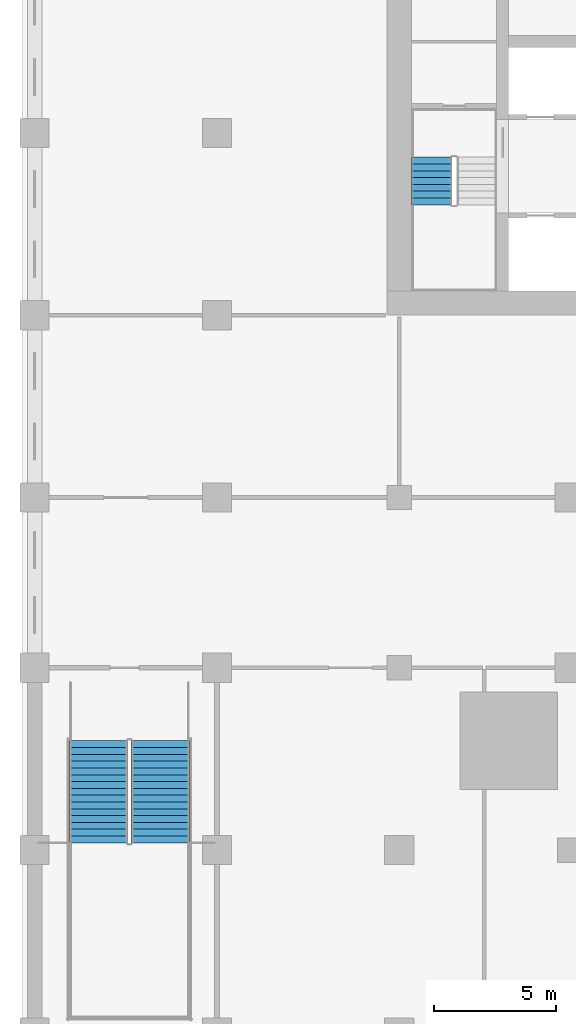
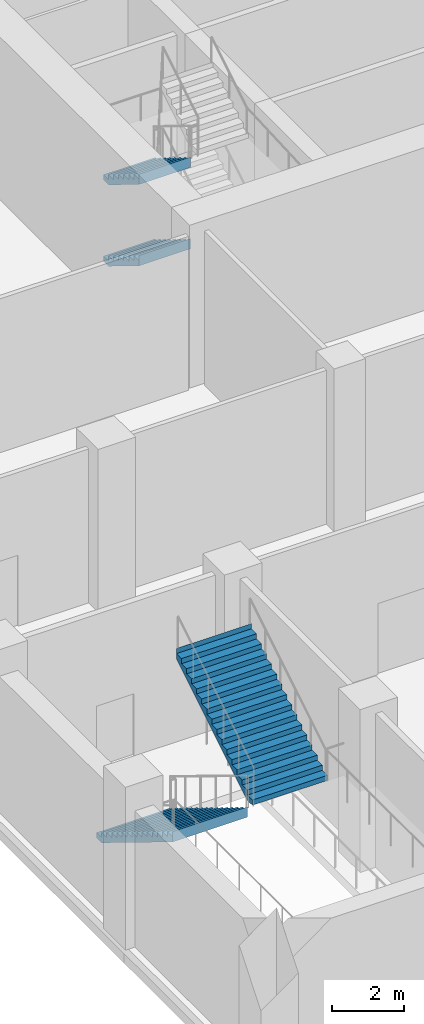
# One storey, part 16 of 35: 4 stair flights, 2 elements without a shape of their own.
"""IFC4 building model written with IfcOpenShell, lengths in metres."""

import ifcopenshell
import ifcopenshell.guid

model = None  # the IFC model being written
_history = None  # IfcOwnerHistory: only IFC2X3 demands one
_inside = {}  # id of a spatial element -> (the spatial element, [elements in it])
_under = {}  # id of a project, library or spatial element -> (it, [spatial elements below it])
_declared = {}  # id of a project -> (the project, [libraries it declares])
_typed = {}  # id of a type object -> (the type object, [elements of that type])
_made_of = {}  # id of a material, layer set ... -> (it, [elements and type objects made of it])


def new_model(schema):
    """Start an empty IFC model of exactly this schema.

    Asked for "IFC4X3", IfcOpenShell would pick the latest addendum, in which some entities
    have other attributes; the version numbers below select the first issue.
    IFC2X3 requires an IfcOwnerHistory on every rooted entity: one is made here for all.
    """
    global model, _history
    if schema == "IFC4X3":
        model = ifcopenshell.file(schema_version=(4, 3, 0, 0))
    else:
        model = ifcopenshell.file(schema=schema)
    _inside.clear()
    _under.clear()
    _declared.clear()
    _typed.clear()
    _made_of.clear()
    _history = None
    if model.schema == "IFC2X3":
        org = make("IfcOrganization", Name="unknown")
        user = make(
            "IfcPersonAndOrganization",
            ThePerson=make("IfcPerson", FamilyName="unknown"),
            TheOrganization=org,
        )
        app = make(
            "IfcApplication",
            ApplicationDeveloper=org,
            Version="unknown",
            ApplicationFullName="unknown",
            ApplicationIdentifier="unknown",
        )
        _history = make(
            "IfcOwnerHistory",
            OwningUser=user,
            OwningApplication=app,
            ChangeAction="ADDED",
            CreationDate=0,
        )
    return model


def make(cls, **values):
    """One entity of the class cls with the attributes given. An attribute that is None is left unset."""
    return model.create_entity(
        cls, **{name: value for name, value in values.items() if value is not None}
    )


def rooted(cls, **values):
    """An entity with a GlobalId (a new one), such as an element, a storey or a relation."""
    return make(cls, GlobalId=ifcopenshell.guid.new(), OwnerHistory=_history, **values)


def si_unit(unit_type, name, prefix=None):
    """IfcSIUnit, for example si_unit("LENGTHUNIT", "METRE", prefix="MILLI")."""
    return make("IfcSIUnit", UnitType=unit_type, Prefix=prefix, Name=name)


def assignment(units):
    """IfcUnitAssignment: the units of a project."""
    return None if units is None else make("IfcUnitAssignment", Units=units)


def point(xyz):
    """IfcCartesianPoint."""
    return None if xyz is None else make("IfcCartesianPoint", Coordinates=xyz)


def direction(xyz):
    """IfcDirection."""
    return None if xyz is None else make("IfcDirection", DirectionRatios=xyz)


def frame(location, z_axis=None, x_axis=None):
    """IfcAxis2Placement3D, a coordinate frame: its origin and axes. An axis left out is left unset."""
    return make(
        "IfcAxis2Placement3D",
        Location=point(location),
        Axis=direction(z_axis),
        RefDirection=direction(x_axis),
    )


def origin():
    """The frame at (0, 0, 0) with its axes left unset."""
    return frame((0.0, 0.0, 0.0))


def place(relative_to, where):
    """IfcLocalPlacement: puts the frame where relative to a parent placement (None: the world)."""
    return make(
        "IfcLocalPlacement", PlacementRelTo=relative_to, RelativePlacement=where
    )


def context(
    kind, dimensions, precision=None, world=None, true_north=None, identifier=None
):
    """IfcGeometricRepresentationContext, for example the 3D "Model" context."""
    return make(
        "IfcGeometricRepresentationContext",
        ContextIdentifier=identifier,
        ContextType=kind,
        CoordinateSpaceDimension=dimensions,
        Precision=precision,
        WorldCoordinateSystem=world,
        TrueNorth=true_north,
    )


def subcontext(parent, identifier, kind, view, scale=None):
    """IfcGeometricRepresentationSubContext, for example "Body" below "Model"."""
    return make(
        "IfcGeometricRepresentationSubContext",
        ContextIdentifier=identifier,
        ContextType=kind,
        ParentContext=parent,
        TargetScale=scale,
        TargetView=view,
    )


def project(units=None, contexts=None):
    """IfcProject with its units and contexts."""
    return rooted(
        "IfcProject",
        Name="project",
        RepresentationContexts=contexts,
        UnitsInContext=assignment(units),
    )


def spatial(cls, under=None, at=None, **own):
    """A site, building, storey or space (cls), placed at a placement, below another one or the project."""
    s = rooted(cls, ObjectPlacement=at, **own)
    if under is not None:
        _under.setdefault(under.id(), (under, []))[1].append(s)
    return s


def polyline(points):
    """IfcPolyline through the points."""
    return make("IfcPolyline", Points=[point(p) for p in points])


def outline(outer, holes=None, kind="AREA"):
    """IfcArbitraryClosedProfileDef: a profile drawn as a closed curve; with holes, ...WithVoids."""
    if holes is None:
        return make("IfcArbitraryClosedProfileDef", ProfileType=kind, OuterCurve=outer)
    return make(
        "IfcArbitraryProfileDefWithVoids",
        ProfileType=kind,
        OuterCurve=outer,
        InnerCurves=holes,
    )


def extrude(swept, where, along, depth):
    """IfcExtrudedAreaSolid: the profile swept, set in the frame where, extruded along a direction by depth."""
    return make(
        "IfcExtrudedAreaSolid",
        SweptArea=swept,
        Position=where,
        ExtrudedDirection=direction(along),
        Depth=depth,
    )


def shape(context_of_items, identifier, shape_type, items):
    """IfcShapeRepresentation: the items that make up one representation, for example the "Body"."""
    return make(
        "IfcShapeRepresentation",
        ContextOfItems=context_of_items,
        RepresentationIdentifier=identifier,
        RepresentationType=shape_type,
        Items=items,
    )


def material(Name=None, Category=None):
    """IfcMaterial."""
    return make("IfcMaterial", Name=Name, Category=Category)


def made_of(thing, what):
    """Note that an element or type object is made of a material, layer set ...; save() writes the relation."""
    if what is not None:
        _made_of.setdefault(what.id(), (what, []))[1].append(thing)
    return thing


def type_object(cls, material=None, **own):
    """A type object (cls), such as IfcWallType, which elements share."""
    return made_of(rooted(cls, **own), material)


def element(
    cls,
    number,
    at=None,
    inside=None,
    cuts=None,
    type_object=None,
    material=None,
    context=None,
    identifier="Body",
    shape_type=None,
    held_by="IfcProductDefinitionShape",
    body=None,
    shapes=None,
    **own,
):
    """One element of the class cls, such as IfcWall. Its Tag is "e" and its number.

    at: its placement. inside: the storey or other place that contains it. cuts: it is an
    opening in that element (IfcRelVoidsElement). A single representation is given by context,
    identifier, shape_type and body (its items); several are given by shapes. held_by: the class
    of the entity that holds the representations. save() writes the other relations.
    """
    e = rooted(cls, Tag="e%d" % number, ObjectPlacement=at, **own)
    if body is not None:
        shapes = [shape(context, identifier, shape_type, body)]
    if shapes is not None:
        e.Representation = make(held_by, Representations=shapes)
    if inside is not None:
        _inside.setdefault(inside.id(), (inside, []))[1].append(e)
    if cuts is not None:
        rooted(
            "IfcRelVoidsElement", RelatingBuildingElement=cuts, RelatedOpeningElement=e
        )
    if type_object is not None:
        _typed.setdefault(type_object.id(), (type_object, []))[1].append(e)
    return made_of(e, material)


def aggregate(whole, parts):
    """IfcRelAggregates: a whole, such as a stair, and the parts it consists of."""
    return rooted("IfcRelAggregates", RelatingObject=whole, RelatedObjects=parts)


def save(model, path):
    """Write the relations noted so far, then the file.

    IfcRelAggregates (storeys below a building ...), IfcRelContainedInSpatialStructure (elements
    in a storey), IfcRelDefinesByType, IfcRelAssociatesMaterial and IfcRelDeclares: one each for
    every whole, place, type object, material and project.
    """
    for whole, parts in _under.values():
        aggregate(whole, parts)
    for where, things in _inside.values():
        rooted(
            "IfcRelContainedInSpatialStructure",
            RelatedElements=things,
            RelatingStructure=where,
        )
    for kind, things in _typed.values():
        rooted("IfcRelDefinesByType", RelatedObjects=things, RelatingType=kind)
    for what, things in _made_of.values():
        rooted("IfcRelAssociatesMaterial", RelatedObjects=things, RelatingMaterial=what)
    for by, libraries in _declared.values():
        rooted("IfcRelDeclares", RelatingContext=by, RelatedDefinitions=libraries)
    model.write(path)


model = new_model("IFC4")

# Units and contexts
model_context = context("Model", 3, precision=1e-05, world=origin(), true_north=direction((0.0, 1.0)))
body_context = subcontext(model_context, "Body", "Model", "MODEL_VIEW")
ifc_project = project(units=[si_unit("LENGTHUNIT", "METRE"), si_unit("AREAUNIT", "SQUARE_METRE"), si_unit("VOLUMEUNIT", "CUBIC_METRE"), si_unit("PLANEANGLEUNIT", "RADIAN"), si_unit("MASSUNIT", "GRAM", prefix="KILO")], contexts=[model_context])

# Site, building, storey
site_placement = place(None, origin())
site = spatial("IfcSite", under=ifc_project, at=site_placement, CompositionType="ELEMENT")
building_placement = place(site_placement, origin())
building = spatial("IfcBuilding", under=site, at=building_placement, Name="Tamorin Gate", CompositionType="ELEMENT")
storey_placement = place(building_placement, frame((0.0, 0.0, 8.0)))
storey = spatial("IfcBuildingStorey", under=building, at=storey_placement, Name="L01", CompositionType="ELEMENT", Elevation=8.0)

# Stair, stair flights
ifc_material_1 = material(Name="Concrete C40/50", Category="concrete")
stair_type_1 = type_object("IfcStairType", Name="Exit stair", PredefinedType="HALF_TURN_STAIR", material=ifc_material_1)
stair_1_placement = place(storey_placement, origin())
stair_1 = element("IfcStair", 1, at=stair_1_placement, inside=storey, type_object=stair_type_1, Name="L01 stair ST1", PredefinedType="HALF_TURN_STAIR")
stair_flight_type_1 = type_object("IfcStairFlightType", Name="Exit stair flight", PredefinedType="STRAIGHT", material=ifc_material_1)
stair_flight_1_placement = place(storey_placement, frame((31.824951171875, 66.5, 0.0), z_axis=(0.0, 0.0, 1.0), x_axis=(0.0, -1.0, 0.0)))
stair_flight_1 = element("IfcStairFlight", 2, at=stair_flight_1_placement, type_object=stair_flight_type_1, Name="ST1 flight 1", NumberOfRisers=8, NumberOfTreads=7, PredefinedType="STRAIGHT", RiserHeight=0.171875, TreadLength=0.28, context=body_context, shape_type="SweptSolid", body=[
    extrude(outline(polyline([(-0.00048828125, 0.0), (-0.00048828125, 0.001708984375), (-0.00048828125, 0.00341796875), (-0.00048828125, 0.005126953125), (-0.00048828125, 0.0068359375), (-0.00048828125, 0.008544921875), (-0.00048828125, 0.01025390625), (-0.00048828125, 0.011962890625), (-0.00048828125, 0.013671875), (-0.00048828125, 0.015380859375), (-0.00048828125, 0.01708984375), (-0.00048828125, 0.018798828125), (-0.00048828125, 0.0205078125), (-0.00048828125, 0.022216796875), (-0.00048828125, 0.02392578125), (-0.00048828125, 0.025634765625), (-0.00048828125, 0.02734375), (-0.00048828125, 0.02880859375), (-0.00048828125, 0.030517578125), (-0.00048828125, 0.0322265625), (-0.00048828125, 0.033935546875), (-0.00048828125, 0.03564453125), (-0.00048828125, 0.037353515625), (-0.00048828125, 0.0390625), (-0.00048828125, 0.040771484375), (-0.00048828125, 0.04248046875), (-0.00048828125, 0.044189453125), (-0.00048828125, 0.0458984375), (-0.00048828125, 0.047607421875), (-0.00048828125, 0.04931640625), (-0.00048828125, 0.051025390625), (-0.00048828125, 0.052734375), (-0.00048828125, 0.054443359375), (-0.00048828125, 0.05615234375), (-0.00048828125, 0.057861328125), (-0.00048828125, 0.0595703125), (-0.00048828125, 0.061279296875), (-0.00048828125, 0.06298828125), (-0.00048828125, 0.064697265625), (-0.00048828125, 0.06640625), (-0.00048828125, 0.068115234375), (-0.00048828125, 0.06982421875), (-0.00048828125, 0.071533203125), (-0.00048828125, 0.0732421875), (-0.00048828125, 0.074951171875), (-0.00048828125, 0.07666015625), (-0.00048828125, 0.078369140625), (-0.00048828125, 0.080078125), (-0.00048828125, 0.081787109375), (-0.00048828125, 0.08349609375), (-0.00048828125, 0.085205078125), (-0.00048828125, 0.086669921875), (-0.00048828125, 0.08837890625), (-0.00048828125, 0.090087890625), (-0.00048828125, 0.091796875), (-0.00048828125, 0.093505859375), (-0.00048828125, 0.09521484375), (-0.00048828125, 0.096923828125), (-0.00048828125, 0.0986328125), (-0.00048828125, 0.100341796875), (-0.00048828125, 0.10205078125), (-0.00048828125, 0.103759765625), (-0.00048828125, 0.10546875), (-0.00048828125, 0.107177734375), (-0.00048828125, 0.10888671875), (-0.00048828125, 0.110595703125), (-0.00048828125, 0.1123046875), (-0.00048828125, 0.114013671875), (-0.00048828125, 0.11572265625), (-0.00048828125, 0.117431640625), (-0.00048828125, 0.119140625), (-0.00048828125, 0.120849609375), (-0.00048828125, 0.12255859375), (-0.00048828125, 0.124267578125), (-0.00048828125, 0.1259765625), (-0.00048828125, 0.127685546875), (-0.00048828125, 0.12939453125), (-0.00048828125, 0.131103515625), (-0.00048828125, 0.1328125), (-0.00048828125, 0.134521484375), (-0.00048828125, 0.13623046875), (-0.00048828125, 0.137939453125), (-0.00048828125, 0.1396484375), (-0.00048828125, 0.141357421875), (-0.00048828125, 0.14306640625), (-0.00048828125, 0.14453125), (-0.00048828125, 0.146240234375), (-0.00048828125, 0.14794921875), (-0.00048828125, 0.149658203125), (-0.00048828125, 0.1513671875), (-0.00048828125, 0.153076171875), (-0.00048828125, 0.15478515625), (-0.00048828125, 0.156494140625), (-0.00048828125, 0.158203125), (-0.00048828125, 0.159912109375), (-0.00048828125, 0.16162109375), (-0.00048828125, 0.163330078125), (-0.00048828125, 0.1650390625), (-0.00048828125, 0.166748046875), (-0.00048828125, 0.16845703125), (-0.00048828125, 0.170166015625), (-0.00048828125, 0.171875), (0.280029296875, 0.171875), (0.280029296875, 0.34375), (0.56005859375, 0.34375), (0.56005859375, 0.515625), (0.840087890625, 0.515625), (0.840087890625, 0.6875), (1.1201171875, 0.6875), (1.1201171875, 0.859375), (1.39990234375, 0.859375), (1.39990234375, 1.03125), (1.679931640625, 1.03125), (1.679931640625, 1.203125), (1.9599609375, 1.203125), (1.9599609375, 1.375), (1.96044921875, 1.375), (1.96044921875, 1.37158203125), (1.96044921875, 1.3681640625), (1.96044921875, 1.36474609375), (1.96044921875, 1.361328125), (1.96044921875, 1.357666015625), (1.96044921875, 1.354248046875), (1.96044921875, 1.350830078125), (1.96044921875, 1.347412109375), (1.96044921875, 1.343994140625), (1.96044921875, 1.340576171875), (1.96044921875, 1.337158203125), (1.96044921875, 1.333740234375), (1.96044921875, 1.330322265625), (1.96044921875, 1.326904296875), (1.96044921875, 1.3232421875), (1.96044921875, 1.31982421875), (1.96044921875, 1.31640625), (1.96044921875, 1.31298828125), (1.96044921875, 1.3095703125), (1.96044921875, 1.30615234375), (1.96044921875, 1.302734375), (1.96044921875, 1.29931640625), (1.96044921875, 1.2958984375), (1.96044921875, 1.29248046875), (1.96044921875, 1.288818359375), (1.96044921875, 1.285400390625), (1.96044921875, 1.281982421875), (1.96044921875, 1.278564453125), (1.96044921875, 1.275146484375), (1.96044921875, 1.271728515625), (1.96044921875, 1.268310546875), (1.96044921875, 1.264892578125), (1.96044921875, 1.261474609375), (1.96044921875, 1.2578125), (1.96044921875, 1.25439453125), (1.96044921875, 1.2509765625), (1.96044921875, 1.24755859375), (1.96044921875, 1.244140625), (1.96044921875, 1.24072265625), (1.96044921875, 1.2373046875), (1.96044921875, 1.23388671875), (1.96044921875, 1.23046875), (1.96044921875, 1.22705078125), (1.96044921875, 1.223388671875), (1.96044921875, 1.219970703125), (1.96044921875, 1.216552734375), (1.96044921875, 1.213134765625), (1.96044921875, 1.209716796875), (1.96044921875, 1.206298828125), (1.96044921875, 1.202880859375), (1.96044921875, 1.199462890625), (1.96044921875, 1.196044921875), (1.96044921875, 1.192626953125), (1.96044921875, 1.18896484375), (1.96044921875, 1.185546875), (1.96044921875, 1.18212890625), (1.96044921875, 1.1787109375), (1.96044921875, 1.17529296875), (1.96044921875, 1.171875), (1.96044921875, 1.16845703125), (1.96044921875, 1.1650390625), (1.96044921875, 1.16162109375), (1.96044921875, 1.157958984375), (1.96044921875, 1.154541015625), (1.96044921875, 1.151123046875), (1.96044921875, 1.147705078125), (1.96044921875, 1.144287109375), (1.96044921875, 1.140869140625), (1.96044921875, 1.137451171875), (1.96044921875, 1.134033203125), (1.96044921875, 1.130615234375), (1.96044921875, 1.127197265625), (1.96044921875, 1.12353515625), (1.96044921875, 1.1201171875), (1.96044921875, 1.11669921875), (1.96044921875, 1.11328125), (1.96044921875, 1.10986328125), (1.96044921875, 1.1064453125), (1.96044921875, 1.10302734375), (1.96044921875, 1.099609375), (1.96044921875, 1.09619140625), (1.96044921875, 1.0927734375), (1.96044921875, 1.089111328125), (1.96044921875, 1.085693359375), (1.96044921875, 1.082275390625), (1.96044921875, 1.078857421875), (1.96044921875, 1.075439453125), (1.96044921875, 1.072021484375), (1.96044921875, 1.068603515625), (1.96044921875, 1.065185546875), (1.96044921875, 1.061767578125), (1.96044921875, 1.05810546875), (1.96044921875, 1.0546875), (1.96044921875, 1.05126953125), (1.96044921875, 1.0478515625), (1.96044921875, 1.04443359375), (1.96044921875, 1.041015625), (1.96044921875, 1.03759765625), (1.96044921875, 1.0341796875), (1.96044921875, 1.03076171875), (1.96044921875, 1.02734375), (1.9599609375, 1.02734375), (0.28662109375, 0.0), (-0.00048828125, 0.0)])), frame((0.0, 0.824951171875, 0.0), z_axis=(0.0, -1.0, 0.0), x_axis=(1.0, 0.0, 0.0)), (0.0, 0.0, 1.0), 1.64990234375),
])
stair_flight_2_placement = place(storey_placement, frame((31.824951171875, 66.5, 2.75), z_axis=(0.0, 0.0, 1.0), x_axis=(0.0, -1.0, 0.0)))
stair_flight_2 = element("IfcStairFlight", 3, at=stair_flight_2_placement, type_object=stair_flight_type_1, Name="ST1 flight 3", NumberOfRisers=8, NumberOfTreads=7, PredefinedType="STRAIGHT", RiserHeight=0.171875, TreadLength=0.28, context=body_context, shape_type="SweptSolid", body=[
    extrude(outline(polyline([(-0.00048828125, 0.0), (-0.00048828125, 0.001708984375), (-0.00048828125, 0.00341796875), (-0.00048828125, 0.005126953125), (-0.00048828125, 0.0068359375), (-0.00048828125, 0.008544921875), (-0.00048828125, 0.01025390625), (-0.00048828125, 0.011962890625), (-0.00048828125, 0.013671875), (-0.00048828125, 0.015380859375), (-0.00048828125, 0.01708984375), (-0.00048828125, 0.018798828125), (-0.00048828125, 0.0205078125), (-0.00048828125, 0.022216796875), (-0.00048828125, 0.02392578125), (-0.00048828125, 0.025634765625), (-0.00048828125, 0.02734375), (-0.00048828125, 0.02880859375), (-0.00048828125, 0.030517578125), (-0.00048828125, 0.0322265625), (-0.00048828125, 0.033935546875), (-0.00048828125, 0.03564453125), (-0.00048828125, 0.037353515625), (-0.00048828125, 0.0390625), (-0.00048828125, 0.040771484375), (-0.00048828125, 0.04248046875), (-0.00048828125, 0.044189453125), (-0.00048828125, 0.0458984375), (-0.00048828125, 0.047607421875), (-0.00048828125, 0.04931640625), (-0.00048828125, 0.051025390625), (-0.00048828125, 0.052734375), (-0.00048828125, 0.054443359375), (-0.00048828125, 0.05615234375), (-0.00048828125, 0.057861328125), (-0.00048828125, 0.0595703125), (-0.00048828125, 0.061279296875), (-0.00048828125, 0.06298828125), (-0.00048828125, 0.064697265625), (-0.00048828125, 0.06640625), (-0.00048828125, 0.068115234375), (-0.00048828125, 0.06982421875), (-0.00048828125, 0.071533203125), (-0.00048828125, 0.0732421875), (-0.00048828125, 0.074951171875), (-0.00048828125, 0.07666015625), (-0.00048828125, 0.078369140625), (-0.00048828125, 0.080078125), (-0.00048828125, 0.081787109375), (-0.00048828125, 0.08349609375), (-0.00048828125, 0.085205078125), (-0.00048828125, 0.086669921875), (-0.00048828125, 0.08837890625), (-0.00048828125, 0.090087890625), (-0.00048828125, 0.091796875), (-0.00048828125, 0.093505859375), (-0.00048828125, 0.09521484375), (-0.00048828125, 0.096923828125), (-0.00048828125, 0.0986328125), (-0.00048828125, 0.100341796875), (-0.00048828125, 0.10205078125), (-0.00048828125, 0.103759765625), (-0.00048828125, 0.10546875), (-0.00048828125, 0.107177734375), (-0.00048828125, 0.10888671875), (-0.00048828125, 0.110595703125), (-0.00048828125, 0.1123046875), (-0.00048828125, 0.114013671875), (-0.00048828125, 0.11572265625), (-0.00048828125, 0.117431640625), (-0.00048828125, 0.119140625), (-0.00048828125, 0.120849609375), (-0.00048828125, 0.12255859375), (-0.00048828125, 0.124267578125), (-0.00048828125, 0.1259765625), (-0.00048828125, 0.127685546875), (-0.00048828125, 0.12939453125), (-0.00048828125, 0.131103515625), (-0.00048828125, 0.1328125), (-0.00048828125, 0.134521484375), (-0.00048828125, 0.13623046875), (-0.00048828125, 0.137939453125), (-0.00048828125, 0.1396484375), (-0.00048828125, 0.141357421875), (-0.00048828125, 0.14306640625), (-0.00048828125, 0.14453125), (-0.00048828125, 0.146240234375), (-0.00048828125, 0.14794921875), (-0.00048828125, 0.149658203125), (-0.00048828125, 0.1513671875), (-0.00048828125, 0.153076171875), (-0.00048828125, 0.15478515625), (-0.00048828125, 0.156494140625), (-0.00048828125, 0.158203125), (-0.00048828125, 0.159912109375), (-0.00048828125, 0.16162109375), (-0.00048828125, 0.163330078125), (-0.00048828125, 0.1650390625), (-0.00048828125, 0.166748046875), (-0.00048828125, 0.16845703125), (-0.00048828125, 0.170166015625), (-0.00048828125, 0.171875), (0.280029296875, 0.171875), (0.280029296875, 0.34375), (0.56005859375, 0.34375), (0.56005859375, 0.515625), (0.840087890625, 0.515625), (0.840087890625, 0.6875), (1.1201171875, 0.6875), (1.1201171875, 0.859375), (1.39990234375, 0.859375), (1.39990234375, 1.03125), (1.679931640625, 1.03125), (1.679931640625, 1.203125), (1.9599609375, 1.203125), (1.9599609375, 1.375), (1.96044921875, 1.375), (1.96044921875, 1.37158203125), (1.96044921875, 1.3681640625), (1.96044921875, 1.36474609375), (1.96044921875, 1.361328125), (1.96044921875, 1.357666015625), (1.96044921875, 1.354248046875), (1.96044921875, 1.350830078125), (1.96044921875, 1.347412109375), (1.96044921875, 1.343994140625), (1.96044921875, 1.340576171875), (1.96044921875, 1.337158203125), (1.96044921875, 1.333740234375), (1.96044921875, 1.330322265625), (1.96044921875, 1.326904296875), (1.96044921875, 1.3232421875), (1.96044921875, 1.31982421875), (1.96044921875, 1.31640625), (1.96044921875, 1.31298828125), (1.96044921875, 1.3095703125), (1.96044921875, 1.30615234375), (1.96044921875, 1.302734375), (1.96044921875, 1.29931640625), (1.96044921875, 1.2958984375), (1.96044921875, 1.29248046875), (1.96044921875, 1.288818359375), (1.96044921875, 1.285400390625), (1.96044921875, 1.281982421875), (1.96044921875, 1.278564453125), (1.96044921875, 1.275146484375), (1.96044921875, 1.271728515625), (1.96044921875, 1.268310546875), (1.96044921875, 1.264892578125), (1.96044921875, 1.261474609375), (1.96044921875, 1.2578125), (1.96044921875, 1.25439453125), (1.96044921875, 1.2509765625), (1.96044921875, 1.24755859375), (1.96044921875, 1.244140625), (1.96044921875, 1.24072265625), (1.96044921875, 1.2373046875), (1.96044921875, 1.23388671875), (1.96044921875, 1.23046875), (1.96044921875, 1.22705078125), (1.96044921875, 1.223388671875), (1.96044921875, 1.219970703125), (1.96044921875, 1.216552734375), (1.96044921875, 1.213134765625), (1.96044921875, 1.209716796875), (1.96044921875, 1.206298828125), (1.96044921875, 1.202880859375), (1.96044921875, 1.199462890625), (1.96044921875, 1.196044921875), (1.96044921875, 1.192626953125), (1.96044921875, 1.18896484375), (1.96044921875, 1.185546875), (1.96044921875, 1.18212890625), (1.96044921875, 1.1787109375), (1.96044921875, 1.17529296875), (1.96044921875, 1.171875), (1.96044921875, 1.16845703125), (1.96044921875, 1.1650390625), (1.96044921875, 1.16162109375), (1.96044921875, 1.157958984375), (1.96044921875, 1.154541015625), (1.96044921875, 1.151123046875), (1.96044921875, 1.147705078125), (1.96044921875, 1.144287109375), (1.96044921875, 1.140869140625), (1.96044921875, 1.137451171875), (1.96044921875, 1.134033203125), (1.96044921875, 1.130615234375), (1.96044921875, 1.127197265625), (1.96044921875, 1.12353515625), (1.96044921875, 1.1201171875), (1.96044921875, 1.11669921875), (1.96044921875, 1.11328125), (1.96044921875, 1.10986328125), (1.96044921875, 1.1064453125), (1.96044921875, 1.10302734375), (1.96044921875, 1.099609375), (1.96044921875, 1.09619140625), (1.96044921875, 1.0927734375), (1.96044921875, 1.089111328125), (1.96044921875, 1.085693359375), (1.96044921875, 1.082275390625), (1.96044921875, 1.078857421875), (1.96044921875, 1.075439453125), (1.96044921875, 1.072021484375), (1.96044921875, 1.068603515625), (1.96044921875, 1.065185546875), (1.96044921875, 1.061767578125), (1.96044921875, 1.05810546875), (1.96044921875, 1.0546875), (1.96044921875, 1.05126953125), (1.96044921875, 1.0478515625), (1.96044921875, 1.04443359375), (1.96044921875, 1.041015625), (1.96044921875, 1.03759765625), (1.96044921875, 1.0341796875), (1.96044921875, 1.03076171875), (1.96044921875, 1.02734375), (1.9599609375, 1.02734375), (0.28662109375, 0.0), (-0.00048828125, 0.0)])), frame((0.0, 0.824951171875, 0.0), z_axis=(0.0, -1.0, 0.0), x_axis=(1.0, 0.0, 0.0)), (0.0, 0.0, 1.0), 1.64990234375),
])
aggregate(stair_1, [stair_flight_1, stair_flight_2])

ifc_material_2 = material(Name="Reinforced concrete C32/40", Category="concrete")
stair_type_2 = type_object("IfcStairType", Name="Podium stair PS", PredefinedType="HALF_TURN_STAIR", material=ifc_material_2)
stair_2_placement = place(storey_placement, origin())
stair_2 = element("IfcStair", 4, at=stair_2_placement, inside=storey, type_object=stair_type_2, Name="L01 Podium stair PS1", PredefinedType="HALF_TURN_STAIR")
stair_flight_type_2 = type_object("IfcStairFlightType", Name="Stair flight 2400", PredefinedType="STRAIGHT", material=ifc_material_2)
stair_flight_3_placement = place(storey_placement, frame((18.125, 42.5, 0.0), z_axis=(0.0, 0.0, 1.0), x_axis=(0.0, -1.0, 0.0)))
stair_flight_3 = element("IfcStairFlight", 5, at=stair_flight_3_placement, type_object=stair_flight_type_2, Name="PS1 flight 1", NumberOfRisers=16, NumberOfTreads=15, PredefinedType="STRAIGHT", RiserHeight=0.171875, TreadLength=0.28, context=body_context, shape_type="SweptSolid", body=[
    extrude(outline(polyline([(-0.00048828125, 0.0), (-0.00048828125, 0.001708984375), (-0.00048828125, 0.00341796875), (-0.00048828125, 0.005126953125), (-0.00048828125, 0.0068359375), (-0.00048828125, 0.008544921875), (-0.00048828125, 0.01025390625), (-0.00048828125, 0.011962890625), (-0.00048828125, 0.013671875), (-0.00048828125, 0.015380859375), (-0.00048828125, 0.01708984375), (-0.00048828125, 0.018798828125), (-0.00048828125, 0.0205078125), (-0.00048828125, 0.022216796875), (-0.00048828125, 0.02392578125), (-0.00048828125, 0.025634765625), (-0.00048828125, 0.02734375), (-0.00048828125, 0.02880859375), (-0.00048828125, 0.030517578125), (-0.00048828125, 0.0322265625), (-0.00048828125, 0.033935546875), (-0.00048828125, 0.03564453125), (-0.00048828125, 0.037353515625), (-0.00048828125, 0.0390625), (-0.00048828125, 0.040771484375), (-0.00048828125, 0.04248046875), (-0.00048828125, 0.044189453125), (-0.00048828125, 0.0458984375), (-0.00048828125, 0.047607421875), (-0.00048828125, 0.04931640625), (-0.00048828125, 0.051025390625), (-0.00048828125, 0.052734375), (-0.00048828125, 0.054443359375), (-0.00048828125, 0.05615234375), (-0.00048828125, 0.057861328125), (-0.00048828125, 0.0595703125), (-0.00048828125, 0.061279296875), (-0.00048828125, 0.06298828125), (-0.00048828125, 0.064697265625), (-0.00048828125, 0.06640625), (-0.00048828125, 0.068115234375), (-0.00048828125, 0.06982421875), (-0.00048828125, 0.071533203125), (-0.00048828125, 0.0732421875), (-0.00048828125, 0.074951171875), (-0.00048828125, 0.07666015625), (-0.00048828125, 0.078369140625), (-0.00048828125, 0.080078125), (-0.00048828125, 0.081787109375), (-0.00048828125, 0.08349609375), (-0.00048828125, 0.085205078125), (-0.00048828125, 0.086669921875), (-0.00048828125, 0.08837890625), (-0.00048828125, 0.090087890625), (-0.00048828125, 0.091796875), (-0.00048828125, 0.093505859375), (-0.00048828125, 0.09521484375), (-0.00048828125, 0.096923828125), (-0.00048828125, 0.0986328125), (-0.00048828125, 0.100341796875), (-0.00048828125, 0.10205078125), (-0.00048828125, 0.103759765625), (-0.00048828125, 0.10546875), (-0.00048828125, 0.107177734375), (-0.00048828125, 0.10888671875), (-0.00048828125, 0.110595703125), (-0.00048828125, 0.1123046875), (-0.00048828125, 0.114013671875), (-0.00048828125, 0.11572265625), (-0.00048828125, 0.117431640625), (-0.00048828125, 0.119140625), (-0.00048828125, 0.120849609375), (-0.00048828125, 0.12255859375), (-0.00048828125, 0.124267578125), (-0.00048828125, 0.1259765625), (-0.00048828125, 0.127685546875), (-0.00048828125, 0.12939453125), (-0.00048828125, 0.131103515625), (-0.00048828125, 0.1328125), (-0.00048828125, 0.134521484375), (-0.00048828125, 0.13623046875), (-0.00048828125, 0.137939453125), (-0.00048828125, 0.1396484375), (-0.00048828125, 0.141357421875), (-0.00048828125, 0.14306640625), (-0.00048828125, 0.14453125), (-0.00048828125, 0.146240234375), (-0.00048828125, 0.14794921875), (-0.00048828125, 0.149658203125), (-0.00048828125, 0.1513671875), (-0.00048828125, 0.153076171875), (-0.00048828125, 0.15478515625), (-0.00048828125, 0.156494140625), (-0.00048828125, 0.158203125), (-0.00048828125, 0.159912109375), (-0.00048828125, 0.16162109375), (-0.00048828125, 0.163330078125), (-0.00048828125, 0.1650390625), (-0.00048828125, 0.166748046875), (-0.00048828125, 0.16845703125), (-0.00048828125, 0.170166015625), (-0.00048828125, 0.171875), (0.280029296875, 0.171875), (0.280029296875, 0.34375), (0.56005859375, 0.34375), (0.56005859375, 0.515625), (0.840087890625, 0.515625), (0.840087890625, 0.6875), (1.1201171875, 0.6875), (1.1201171875, 0.859375), (1.39990234375, 0.859375), (1.39990234375, 1.03125), (1.679931640625, 1.03125), (1.679931640625, 1.203125), (1.9599609375, 1.203125), (1.9599609375, 1.375), (2.239990234375, 1.375), (2.239990234375, 1.546875), (2.52001953125, 1.546875), (2.52001953125, 1.71875), (2.800048828125, 1.71875), (2.800048828125, 1.890625), (3.080078125, 1.890625), (3.080078125, 2.0625), (3.360107421875, 2.0625), (3.360107421875, 2.234375), (3.639892578125, 2.234375), (3.639892578125, 2.40625), (3.919921875, 2.40625), (3.919921875, 2.578125), (4.199951171875, 2.578125), (4.199951171875, 2.75), (4.200439453125, 2.75), (4.200439453125, 2.74658203125), (4.200439453125, 2.7431640625), (4.200439453125, 2.73974609375), (4.200439453125, 2.736328125), (4.200439453125, 2.732666015625), (4.200439453125, 2.729248046875), (4.200439453125, 2.725830078125), (4.200439453125, 2.722412109375), (4.200439453125, 2.718994140625), (4.200439453125, 2.715576171875), (4.200439453125, 2.712158203125), (4.200439453125, 2.708740234375), (4.200439453125, 2.705322265625), (4.200439453125, 2.701904296875), (4.200439453125, 2.6982421875), (4.200439453125, 2.69482421875), (4.200439453125, 2.69140625), (4.200439453125, 2.68798828125), (4.200439453125, 2.6845703125), (4.200439453125, 2.68115234375), (4.200439453125, 2.677734375), (4.200439453125, 2.67431640625), (4.200439453125, 2.6708984375), (4.200439453125, 2.66748046875), (4.200439453125, 2.663818359375), (4.200439453125, 2.660400390625), (4.200439453125, 2.656982421875), (4.200439453125, 2.653564453125), (4.200439453125, 2.650146484375), (4.200439453125, 2.646728515625), (4.200439453125, 2.643310546875), (4.200439453125, 2.639892578125), (4.200439453125, 2.636474609375), (4.200439453125, 2.6328125), (4.200439453125, 2.62939453125), (4.200439453125, 2.6259765625), (4.200439453125, 2.62255859375), (4.200439453125, 2.619140625), (4.200439453125, 2.61572265625), (4.200439453125, 2.6123046875), (4.200439453125, 2.60888671875), (4.200439453125, 2.60546875), (4.200439453125, 2.60205078125), (4.200439453125, 2.598388671875), (4.200439453125, 2.594970703125), (4.200439453125, 2.591552734375), (4.200439453125, 2.588134765625), (4.200439453125, 2.584716796875), (4.200439453125, 2.581298828125), (4.200439453125, 2.577880859375), (4.200439453125, 2.574462890625), (4.200439453125, 2.571044921875), (4.200439453125, 2.567626953125), (4.200439453125, 2.56396484375), (4.200439453125, 2.560546875), (4.200439453125, 2.55712890625), (4.200439453125, 2.5537109375), (4.200439453125, 2.55029296875), (4.200439453125, 2.546875), (4.200439453125, 2.54345703125), (4.200439453125, 2.5400390625), (4.200439453125, 2.53662109375), (4.200439453125, 2.532958984375), (4.200439453125, 2.529541015625), (4.200439453125, 2.526123046875), (4.200439453125, 2.522705078125), (4.200439453125, 2.519287109375), (4.200439453125, 2.515869140625), (4.200439453125, 2.512451171875), (4.200439453125, 2.509033203125), (4.200439453125, 2.505615234375), (4.200439453125, 2.502197265625), (4.200439453125, 2.49853515625), (4.200439453125, 2.4951171875), (4.200439453125, 2.49169921875), (4.200439453125, 2.48828125), (4.200439453125, 2.48486328125), (4.200439453125, 2.4814453125), (4.200439453125, 2.47802734375), (4.200439453125, 2.474609375), (4.200439453125, 2.47119140625), (4.200439453125, 2.4677734375), (4.200439453125, 2.464111328125), (4.200439453125, 2.460693359375), (4.200439453125, 2.457275390625), (4.200439453125, 2.453857421875), (4.200439453125, 2.450439453125), (4.200439453125, 2.447021484375), (4.200439453125, 2.443603515625), (4.200439453125, 2.440185546875), (4.200439453125, 2.436767578125), (4.200439453125, 2.43310546875), (4.200439453125, 2.4296875), (4.200439453125, 2.42626953125), (4.200439453125, 2.4228515625), (4.200439453125, 2.41943359375), (4.200439453125, 2.416015625), (4.200439453125, 2.41259765625), (4.200439453125, 2.4091796875), (4.200439453125, 2.40576171875), (4.200439453125, 2.40234375), (4.199951171875, 2.40234375), (0.28662109375, 0.0), (-0.00048828125, 0.0)])), frame((0.0, 1.199951171875, 0.0), z_axis=(0.0, -1.0, 0.0), x_axis=(1.0, 0.0, 0.0)), (0.0, 0.0, 1.0), 2.39990234375),
])
stair_flight_4_placement = place(storey_placement, frame((20.675048828125, 38.300048828125, 2.75), z_axis=(0.0, 0.0, 1.0), x_axis=(0.0, 1.0, 0.0)))
stair_flight_4 = element("IfcStairFlight", 6, at=stair_flight_4_placement, type_object=stair_flight_type_2, Name="PS1 flight 2", NumberOfRisers=16, NumberOfTreads=15, PredefinedType="STRAIGHT", RiserHeight=0.171875, TreadLength=0.28, context=body_context, shape_type="SweptSolid", body=[
    extrude(outline(polyline([(-0.00048828125, 0.0), (-0.00048828125, 0.001708984375), (-0.00048828125, 0.00341796875), (-0.00048828125, 0.005126953125), (-0.00048828125, 0.0068359375), (-0.00048828125, 0.008544921875), (-0.00048828125, 0.01025390625), (-0.00048828125, 0.011962890625), (-0.00048828125, 0.013671875), (-0.00048828125, 0.015380859375), (-0.00048828125, 0.01708984375), (-0.00048828125, 0.018798828125), (-0.00048828125, 0.0205078125), (-0.00048828125, 0.022216796875), (-0.00048828125, 0.02392578125), (-0.00048828125, 0.025634765625), (-0.00048828125, 0.02734375), (-0.00048828125, 0.02880859375), (-0.00048828125, 0.030517578125), (-0.00048828125, 0.0322265625), (-0.00048828125, 0.033935546875), (-0.00048828125, 0.03564453125), (-0.00048828125, 0.037353515625), (-0.00048828125, 0.0390625), (-0.00048828125, 0.040771484375), (-0.00048828125, 0.04248046875), (-0.00048828125, 0.044189453125), (-0.00048828125, 0.0458984375), (-0.00048828125, 0.047607421875), (-0.00048828125, 0.04931640625), (-0.00048828125, 0.051025390625), (-0.00048828125, 0.052734375), (-0.00048828125, 0.054443359375), (-0.00048828125, 0.05615234375), (-0.00048828125, 0.057861328125), (-0.00048828125, 0.0595703125), (-0.00048828125, 0.061279296875), (-0.00048828125, 0.06298828125), (-0.00048828125, 0.064697265625), (-0.00048828125, 0.06640625), (-0.00048828125, 0.068115234375), (-0.00048828125, 0.06982421875), (-0.00048828125, 0.071533203125), (-0.00048828125, 0.0732421875), (-0.00048828125, 0.074951171875), (-0.00048828125, 0.07666015625), (-0.00048828125, 0.078369140625), (-0.00048828125, 0.080078125), (-0.00048828125, 0.081787109375), (-0.00048828125, 0.08349609375), (-0.00048828125, 0.085205078125), (-0.00048828125, 0.086669921875), (-0.00048828125, 0.08837890625), (-0.00048828125, 0.090087890625), (-0.00048828125, 0.091796875), (-0.00048828125, 0.093505859375), (-0.00048828125, 0.09521484375), (-0.00048828125, 0.096923828125), (-0.00048828125, 0.0986328125), (-0.00048828125, 0.100341796875), (-0.00048828125, 0.10205078125), (-0.00048828125, 0.103759765625), (-0.00048828125, 0.10546875), (-0.00048828125, 0.107177734375), (-0.00048828125, 0.10888671875), (-0.00048828125, 0.110595703125), (-0.00048828125, 0.1123046875), (-0.00048828125, 0.114013671875), (-0.00048828125, 0.11572265625), (-0.00048828125, 0.117431640625), (-0.00048828125, 0.119140625), (-0.00048828125, 0.120849609375), (-0.00048828125, 0.12255859375), (-0.00048828125, 0.124267578125), (-0.00048828125, 0.1259765625), (-0.00048828125, 0.127685546875), (-0.00048828125, 0.12939453125), (-0.00048828125, 0.131103515625), (-0.00048828125, 0.1328125), (-0.00048828125, 0.134521484375), (-0.00048828125, 0.13623046875), (-0.00048828125, 0.137939453125), (-0.00048828125, 0.1396484375), (-0.00048828125, 0.141357421875), (-0.00048828125, 0.14306640625), (-0.00048828125, 0.14453125), (-0.00048828125, 0.146240234375), (-0.00048828125, 0.14794921875), (-0.00048828125, 0.149658203125), (-0.00048828125, 0.1513671875), (-0.00048828125, 0.153076171875), (-0.00048828125, 0.15478515625), (-0.00048828125, 0.156494140625), (-0.00048828125, 0.158203125), (-0.00048828125, 0.159912109375), (-0.00048828125, 0.16162109375), (-0.00048828125, 0.163330078125), (-0.00048828125, 0.1650390625), (-0.00048828125, 0.166748046875), (-0.00048828125, 0.16845703125), (-0.00048828125, 0.170166015625), (-0.00048828125, 0.171875), (0.280029296875, 0.171875), (0.280029296875, 0.34375), (0.56005859375, 0.34375), (0.56005859375, 0.515625), (0.840087890625, 0.515625), (0.840087890625, 0.6875), (1.1201171875, 0.6875), (1.1201171875, 0.859375), (1.39990234375, 0.859375), (1.39990234375, 1.03125), (1.679931640625, 1.03125), (1.679931640625, 1.203125), (1.9599609375, 1.203125), (1.9599609375, 1.375), (2.239990234375, 1.375), (2.239990234375, 1.546875), (2.52001953125, 1.546875), (2.52001953125, 1.71875), (2.800048828125, 1.71875), (2.800048828125, 1.890625), (3.080078125, 1.890625), (3.080078125, 2.0625), (3.360107421875, 2.0625), (3.360107421875, 2.234375), (3.639892578125, 2.234375), (3.639892578125, 2.40625), (3.919921875, 2.40625), (3.919921875, 2.578125), (4.199951171875, 2.578125), (4.199951171875, 2.75), (4.200439453125, 2.75), (4.200439453125, 2.74658203125), (4.200439453125, 2.7431640625), (4.200439453125, 2.73974609375), (4.200439453125, 2.736328125), (4.200439453125, 2.732666015625), (4.200439453125, 2.729248046875), (4.200439453125, 2.725830078125), (4.200439453125, 2.722412109375), (4.200439453125, 2.718994140625), (4.200439453125, 2.715576171875), (4.200439453125, 2.712158203125), (4.200439453125, 2.708740234375), (4.200439453125, 2.705322265625), (4.200439453125, 2.701904296875), (4.200439453125, 2.6982421875), (4.200439453125, 2.69482421875), (4.200439453125, 2.69140625), (4.200439453125, 2.68798828125), (4.200439453125, 2.6845703125), (4.200439453125, 2.68115234375), (4.200439453125, 2.677734375), (4.200439453125, 2.67431640625), (4.200439453125, 2.6708984375), (4.200439453125, 2.66748046875), (4.200439453125, 2.663818359375), (4.200439453125, 2.660400390625), (4.200439453125, 2.656982421875), (4.200439453125, 2.653564453125), (4.200439453125, 2.650146484375), (4.200439453125, 2.646728515625), (4.200439453125, 2.643310546875), (4.200439453125, 2.639892578125), (4.200439453125, 2.636474609375), (4.200439453125, 2.6328125), (4.200439453125, 2.62939453125), (4.200439453125, 2.6259765625), (4.200439453125, 2.62255859375), (4.200439453125, 2.619140625), (4.200439453125, 2.61572265625), (4.200439453125, 2.6123046875), (4.200439453125, 2.60888671875), (4.200439453125, 2.60546875), (4.200439453125, 2.60205078125), (4.200439453125, 2.598388671875), (4.200439453125, 2.594970703125), (4.200439453125, 2.591552734375), (4.200439453125, 2.588134765625), (4.200439453125, 2.584716796875), (4.200439453125, 2.581298828125), (4.200439453125, 2.577880859375), (4.200439453125, 2.574462890625), (4.200439453125, 2.571044921875), (4.200439453125, 2.567626953125), (4.200439453125, 2.56396484375), (4.200439453125, 2.560546875), (4.200439453125, 2.55712890625), (4.200439453125, 2.5537109375), (4.200439453125, 2.55029296875), (4.200439453125, 2.546875), (4.200439453125, 2.54345703125), (4.200439453125, 2.5400390625), (4.200439453125, 2.53662109375), (4.200439453125, 2.532958984375), (4.200439453125, 2.529541015625), (4.200439453125, 2.526123046875), (4.200439453125, 2.522705078125), (4.200439453125, 2.519287109375), (4.200439453125, 2.515869140625), (4.200439453125, 2.512451171875), (4.200439453125, 2.509033203125), (4.200439453125, 2.505615234375), (4.200439453125, 2.502197265625), (4.200439453125, 2.49853515625), (4.200439453125, 2.4951171875), (4.200439453125, 2.49169921875), (4.200439453125, 2.48828125), (4.200439453125, 2.48486328125), (4.200439453125, 2.4814453125), (4.200439453125, 2.47802734375), (4.200439453125, 2.474609375), (4.200439453125, 2.47119140625), (4.200439453125, 2.4677734375), (4.200439453125, 2.464111328125), (4.200439453125, 2.460693359375), (4.200439453125, 2.457275390625), (4.200439453125, 2.453857421875), (4.200439453125, 2.450439453125), (4.200439453125, 2.447021484375), (4.200439453125, 2.443603515625), (4.200439453125, 2.440185546875), (4.200439453125, 2.436767578125), (4.200439453125, 2.43310546875), (4.200439453125, 2.4296875), (4.200439453125, 2.42626953125), (4.200439453125, 2.4228515625), (4.200439453125, 2.41943359375), (4.200439453125, 2.416015625), (4.200439453125, 2.41259765625), (4.200439453125, 2.4091796875), (4.200439453125, 2.40576171875), (4.200439453125, 2.40234375), (4.199951171875, 2.40234375), (0.28662109375, 0.0), (-0.00048828125, 0.0)])), frame((0.0, 1.199951171875, 0.0), z_axis=(0.0, -1.0, 0.0), x_axis=(1.0, 0.0, 0.0)), (0.0, 0.0, 1.0), 2.39990234375),
])
aggregate(stair_2, [stair_flight_3, stair_flight_4])

save(model, "model.ifc")
